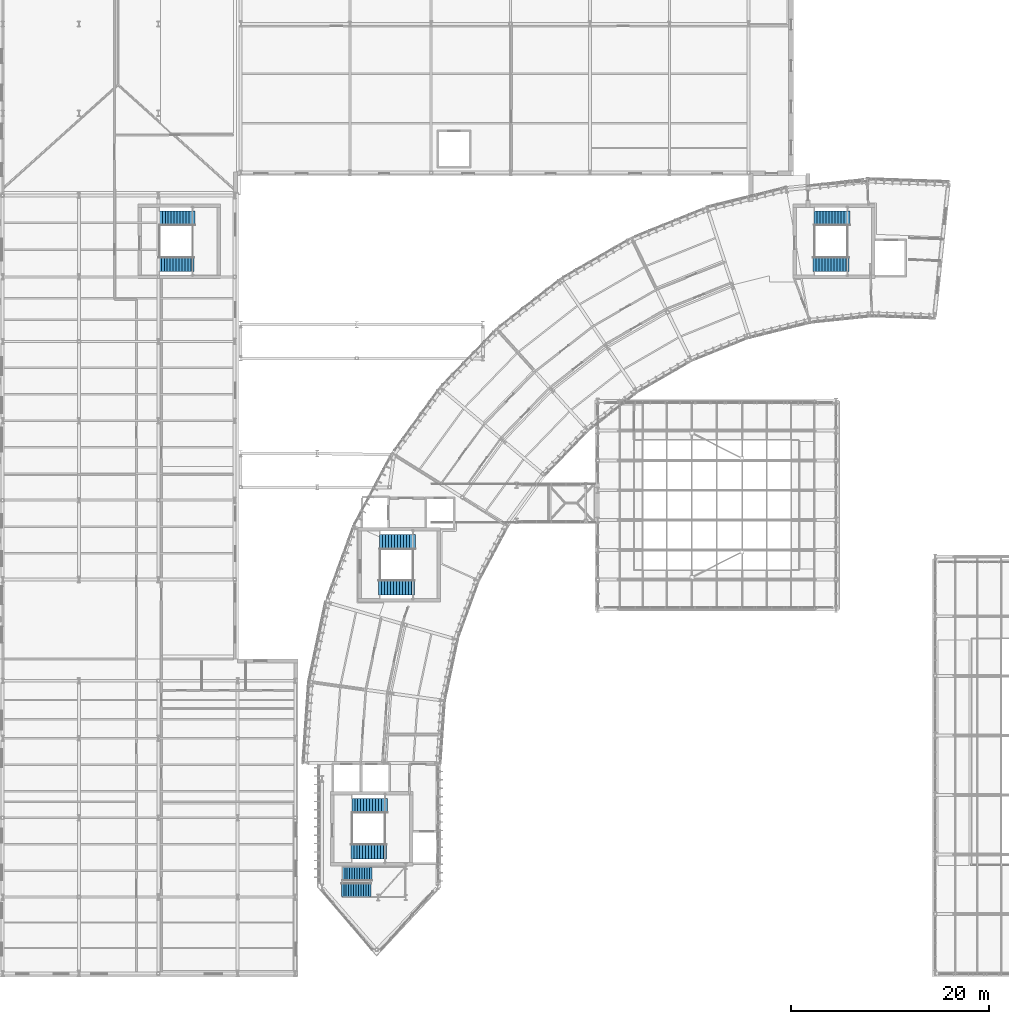
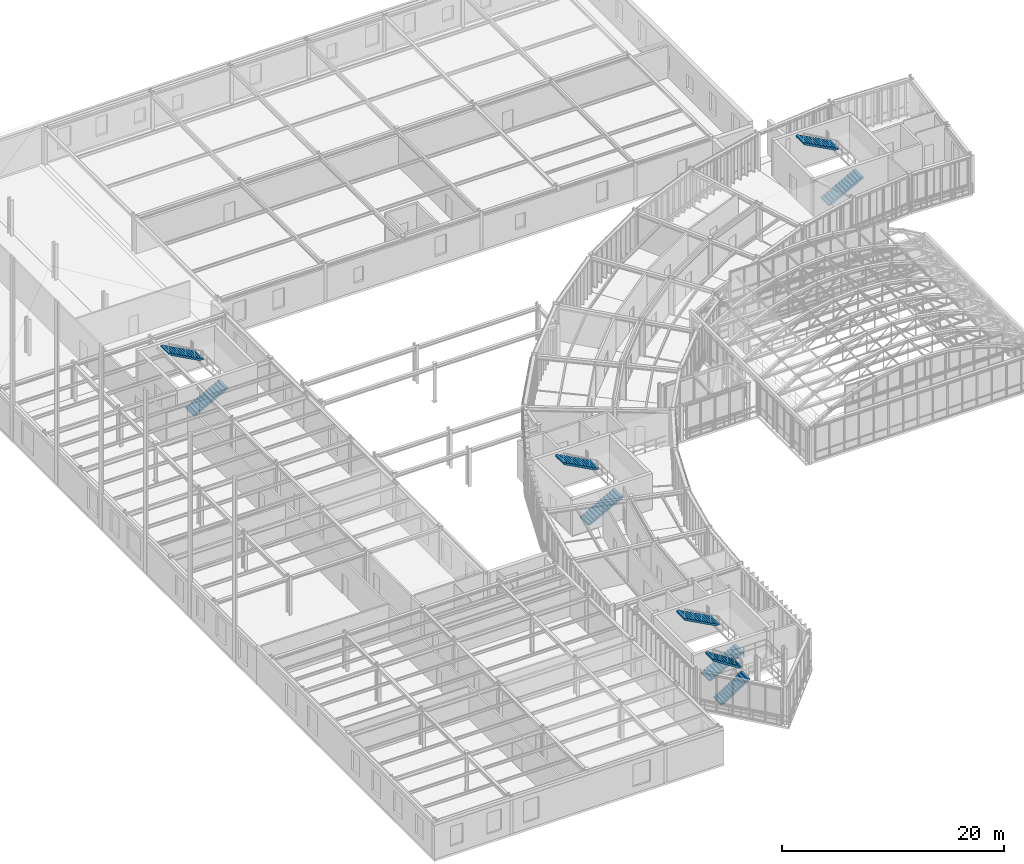
# One storey, part 134 of 148: 10 stair flights, 5 elements without a shape of their own.
"""IFC4 building model written with IfcOpenShell, lengths in metres."""

from ifc_helpers import new_model, si_unit, direction, frame, origin, place, context, subcontext, project, spatial, polyline, outline, extrude, material, type_object, element, aggregate, save


model = new_model("IFC4")

# Units and contexts
model_context = context("Model", 3, precision=1e-05, world=origin(), true_north=direction((0.0, 1.0)))
body_context = subcontext(model_context, "Body", "Model", "MODEL_VIEW")
ifc_project = project(units=[si_unit("LENGTHUNIT", "METRE"), si_unit("AREAUNIT", "SQUARE_METRE"), si_unit("VOLUMEUNIT", "CUBIC_METRE"), si_unit("PLANEANGLEUNIT", "RADIAN"), si_unit("MASSUNIT", "GRAM", prefix="KILO"), si_unit("THERMODYNAMICTEMPERATUREUNIT", "KELVIN"), si_unit("POWERUNIT", "WATT")], contexts=[model_context])

# Site, building, storey
site_placement = place(None, origin())
site = spatial("IfcSite", under=ifc_project, at=site_placement, CompositionType="ELEMENT")
building_placement = place(site_placement, origin())
building = spatial("IfcBuilding", under=site, at=building_placement, Name="Solvatero Civic Police Headquarters", CompositionType="ELEMENT")
storey_placement = place(building_placement, frame((0.0, 0.0, 5.10009765625)))
storey = spatial("IfcBuildingStorey", under=building, at=storey_placement, Name="L01", CompositionType="ELEMENT", Elevation=5.10009765625)

# Stair, stair flights
ifc_material = material(Name="Precast concrete C40/50", Category="concrete")
stair_type_1 = type_object("IfcStairType", Name="STR-C145-420", PredefinedType="HALF_TURN_STAIR", material=ifc_material)
stair_1_placement = place(storey_placement, origin())
stair_1 = element("IfcStair", 1, at=stair_1_placement, inside=storey, type_object=stair_type_1, Name="Protected Exit Stair ST-C3 (L01 to L02)", PredefinedType="HALF_TURN_STAIR")
stair_flight_type_1 = type_object("IfcStairFlightType", Name="SFL-STR-C145-420", PredefinedType="STRAIGHT", material=ifc_material)
stair_flight_1_placement = place(storey_placement, frame((86.5, 76.27490234375, 0.0), z_axis=(0.0, 0.0, 1.0), x_axis=(1.0, 0.0, 0.0)))
stair_flight_1 = element("IfcStairFlight", 2, at=stair_flight_1_placement, type_object=stair_flight_type_1, Name="ST-C3 L01 Flight 1", NumberOfRisers=13, NumberOfTreads=12, PredefinedType="STRAIGHT", RiserHeight=0.161538, TreadLength=0.3, context=body_context, shape_type="SweptSolid", body=[
    extrude(outline(polyline([(0.0, 0.0), (0.0, 0.16162109375), (0.300048828125, 0.16162109375), (0.300048828125, 0.322998046875), (0.60009765625, 0.322998046875), (0.60009765625, 0.484619140625), (0.89990234375, 0.484619140625), (0.89990234375, 0.646240234375), (1.199951171875, 0.646240234375), (1.199951171875, 0.8076171875), (1.5, 0.8076171875), (1.5, 0.96923828125), (1.800048828125, 0.96923828125), (1.800048828125, 1.130859375), (2.10009765625, 1.130859375), (2.10009765625, 1.292236328125), (2.39990234375, 1.292236328125), (2.39990234375, 1.453857421875), (2.699951171875, 1.453857421875), (2.699951171875, 1.615478515625), (3.0, 1.615478515625), (3.0, 1.77685546875), (3.300048828125, 1.77685546875), (3.300048828125, 1.9384765625), (3.60009765625, 1.9384765625), (3.60009765625, 2.10009765625), (3.60009765625, 1.7568359375), (0.33740234375, 0.0), (0.0, 0.0)])), frame((0.0, 0.72509765625, 0.0), z_axis=(0.0, -1.0, 0.0), x_axis=(1.0, 0.0, 0.0)), (0.0, 0.0, 1.0), 1.449951171875),
])
stair_flight_2_placement = place(storey_placement, frame((90.199951171875, 80.925048828125, 2.099853515625), z_axis=(0.0, 0.0, 1.0), x_axis=(-1.0, 0.0, 0.0)))
stair_flight_2 = element("IfcStairFlight", 3, at=stair_flight_2_placement, type_object=stair_flight_type_1, Name="ST-C3 L01 Flight 2", NumberOfRisers=13, NumberOfTreads=12, PredefinedType="STRAIGHT", RiserHeight=0.161538, TreadLength=0.3, context=body_context, shape_type="SweptSolid", body=[
    extrude(outline(polyline([(0.0, 0.0), (0.0, 0.16162109375), (0.300048828125, 0.16162109375), (0.300048828125, 0.322998046875), (0.60009765625, 0.322998046875), (0.60009765625, 0.484619140625), (0.89990234375, 0.484619140625), (0.89990234375, 0.646240234375), (1.199951171875, 0.646240234375), (1.199951171875, 0.8076171875), (1.5, 0.8076171875), (1.5, 0.96923828125), (1.800048828125, 0.96923828125), (1.800048828125, 1.130859375), (2.10009765625, 1.130859375), (2.10009765625, 1.292236328125), (2.39990234375, 1.292236328125), (2.39990234375, 1.453857421875), (2.699951171875, 1.453857421875), (2.699951171875, 1.615478515625), (3.0, 1.615478515625), (3.0, 1.77685546875), (3.300048828125, 1.77685546875), (3.300048828125, 1.9384765625), (3.60009765625, 1.9384765625), (3.60009765625, 2.10009765625), (3.60009765625, 1.7568359375), (0.33740234375, 0.0), (0.0, 0.0)])), frame((0.0, 0.72509765625, 0.0), z_axis=(0.0, -1.0, 0.0), x_axis=(1.0, 0.0, 0.0)), (0.0, 0.0, 1.0), 1.449951171875),
])
aggregate(stair_1, [stair_flight_1, stair_flight_2])

stair_2_placement = place(storey_placement, origin())
stair_2 = element("IfcStair", 4, at=stair_2_placement, inside=storey, type_object=stair_type_1, Name="Protected Exit Stair ST-C4 (L01 to L02)", PredefinedType="HALF_TURN_STAIR")
stair_flight_3_placement = place(storey_placement, frame((20.5, 76.27490234375, 0.0), z_axis=(0.0, 0.0, 1.0), x_axis=(1.0, 0.0, 0.0)))
stair_flight_3 = element("IfcStairFlight", 5, at=stair_flight_3_placement, type_object=stair_flight_type_1, Name="ST-C4 L01 Flight 1", NumberOfRisers=13, NumberOfTreads=12, PredefinedType="STRAIGHT", RiserHeight=0.161538, TreadLength=0.3, context=body_context, shape_type="SweptSolid", body=[
    extrude(outline(polyline([(0.0, 0.0), (0.0, 0.16162109375), (0.300048828125, 0.16162109375), (0.300048828125, 0.322998046875), (0.60009765625, 0.322998046875), (0.60009765625, 0.484619140625), (0.89990234375, 0.484619140625), (0.89990234375, 0.646240234375), (1.199951171875, 0.646240234375), (1.199951171875, 0.8076171875), (1.5, 0.8076171875), (1.5, 0.96923828125), (1.800048828125, 0.96923828125), (1.800048828125, 1.130859375), (2.10009765625, 1.130859375), (2.10009765625, 1.292236328125), (2.39990234375, 1.292236328125), (2.39990234375, 1.453857421875), (2.699951171875, 1.453857421875), (2.699951171875, 1.615478515625), (3.0, 1.615478515625), (3.0, 1.77685546875), (3.300048828125, 1.77685546875), (3.300048828125, 1.9384765625), (3.60009765625, 1.9384765625), (3.60009765625, 2.10009765625), (3.60009765625, 1.7568359375), (0.33740234375, 0.0), (0.0, 0.0)])), frame((0.0, 0.72509765625, 0.0), z_axis=(0.0, -1.0, 0.0), x_axis=(1.0, 0.0, 0.0)), (0.0, 0.0, 1.0), 1.449951171875),
])
stair_flight_4_placement = place(storey_placement, frame((24.199951171875, 80.925048828125, 2.099853515625), z_axis=(0.0, 0.0, 1.0), x_axis=(-1.0, 0.0, 0.0)))
stair_flight_4 = element("IfcStairFlight", 6, at=stair_flight_4_placement, type_object=stair_flight_type_1, Name="ST-C4 L01 Flight 2", NumberOfRisers=13, NumberOfTreads=12, PredefinedType="STRAIGHT", RiserHeight=0.161538, TreadLength=0.3, context=body_context, shape_type="SweptSolid", body=[
    extrude(outline(polyline([(0.0, 0.0), (0.0, 0.16162109375), (0.300048828125, 0.16162109375), (0.300048828125, 0.322998046875), (0.60009765625, 0.322998046875), (0.60009765625, 0.484619140625), (0.89990234375, 0.484619140625), (0.89990234375, 0.646240234375), (1.199951171875, 0.646240234375), (1.199951171875, 0.8076171875), (1.5, 0.8076171875), (1.5, 0.96923828125), (1.800048828125, 0.96923828125), (1.800048828125, 1.130859375), (2.10009765625, 1.130859375), (2.10009765625, 1.292236328125), (2.39990234375, 1.292236328125), (2.39990234375, 1.453857421875), (2.699951171875, 1.453857421875), (2.699951171875, 1.615478515625), (3.0, 1.615478515625), (3.0, 1.77685546875), (3.300048828125, 1.77685546875), (3.300048828125, 1.9384765625), (3.60009765625, 1.9384765625), (3.60009765625, 2.10009765625), (3.60009765625, 1.7568359375), (0.33740234375, 0.0), (0.0, 0.0)])), frame((0.0, 0.72509765625, 0.0), z_axis=(0.0, -1.0, 0.0), x_axis=(1.0, 0.0, 0.0)), (0.0, 0.0, 1.0), 1.449951171875),
])
aggregate(stair_2, [stair_flight_3, stair_flight_4])

stair_type_2 = type_object("IfcStairType", Name="STR-C150-420", PredefinedType="HALF_TURN_STAIR", material=ifc_material)
stair_3_placement = place(storey_placement, origin())
stair_3 = element("IfcStair", 7, at=stair_3_placement, inside=storey, type_object=stair_type_2, Name="Protected Exit Stair ST-C1 (L01 to L02)", PredefinedType="HALF_TURN_STAIR")
stair_flight_type_2 = type_object("IfcStairFlightType", Name="SFL-STR-C150-420", PredefinedType="STRAIGHT", material=ifc_material)
stair_flight_5_placement = place(storey_placement, frame((39.89990234375, 17.10009765625, 0.0), z_axis=(0.0, 0.0, 1.0), x_axis=(1.0, 0.0, 0.0)))
stair_flight_5 = element("IfcStairFlight", 8, at=stair_flight_5_placement, type_object=stair_flight_type_2, Name="ST-C1 L01 Flight 1", NumberOfRisers=13, NumberOfTreads=12, PredefinedType="STRAIGHT", RiserHeight=0.161538, TreadLength=0.3, context=body_context, shape_type="SweptSolid", body=[
    extrude(outline(polyline([(0.0, 0.0), (0.0, 0.16162109375), (0.300048828125, 0.16162109375), (0.300048828125, 0.322998046875), (0.60009765625, 0.322998046875), (0.60009765625, 0.484619140625), (0.89990234375, 0.484619140625), (0.89990234375, 0.646240234375), (1.199951171875, 0.646240234375), (1.199951171875, 0.8076171875), (1.5, 0.8076171875), (1.5, 0.96923828125), (1.800048828125, 0.96923828125), (1.800048828125, 1.130859375), (2.10009765625, 1.130859375), (2.10009765625, 1.292236328125), (2.39990234375, 1.292236328125), (2.39990234375, 1.453857421875), (2.699951171875, 1.453857421875), (2.699951171875, 1.615478515625), (3.0, 1.615478515625), (3.0, 1.77685546875), (3.300048828125, 1.77685546875), (3.300048828125, 1.9384765625), (3.60009765625, 1.9384765625), (3.60009765625, 2.10009765625), (3.60009765625, 1.7568359375), (0.33740234375, 0.0), (0.0, 0.0)])), frame((0.0, 0.75, 0.0), z_axis=(0.0, -1.0, 0.0), x_axis=(1.0, 0.0, 0.0)), (0.0, 0.0, 1.0), 1.5),
])
stair_flight_6_placement = place(storey_placement, frame((43.60009765625, 21.699951171875, 2.099853515625), z_axis=(0.0, 0.0, 1.0), x_axis=(-1.0, 0.0, 0.0)))
stair_flight_6 = element("IfcStairFlight", 9, at=stair_flight_6_placement, type_object=stair_flight_type_2, Name="ST-C1 L01 Flight 2", NumberOfRisers=13, NumberOfTreads=12, PredefinedType="STRAIGHT", RiserHeight=0.161538, TreadLength=0.3, context=body_context, shape_type="SweptSolid", body=[
    extrude(outline(polyline([(0.0, 0.0), (0.0, 0.16162109375), (0.300048828125, 0.16162109375), (0.300048828125, 0.322998046875), (0.60009765625, 0.322998046875), (0.60009765625, 0.484619140625), (0.89990234375, 0.484619140625), (0.89990234375, 0.646240234375), (1.199951171875, 0.646240234375), (1.199951171875, 0.8076171875), (1.5, 0.8076171875), (1.5, 0.96923828125), (1.800048828125, 0.96923828125), (1.800048828125, 1.130859375), (2.10009765625, 1.130859375), (2.10009765625, 1.292236328125), (2.39990234375, 1.292236328125), (2.39990234375, 1.453857421875), (2.699951171875, 1.453857421875), (2.699951171875, 1.615478515625), (3.0, 1.615478515625), (3.0, 1.77685546875), (3.300048828125, 1.77685546875), (3.300048828125, 1.9384765625), (3.60009765625, 1.9384765625), (3.60009765625, 2.10009765625), (3.60009765625, 1.7568359375), (0.33740234375, 0.0), (0.0, 0.0)])), frame((0.0, 0.75, 0.0), z_axis=(0.0, -1.0, 0.0), x_axis=(1.0, 0.0, 0.0)), (0.0, 0.0, 1.0), 1.5),
])
aggregate(stair_3, [stair_flight_5, stair_flight_6])

stair_4_placement = place(storey_placement, origin())
stair_4 = element("IfcStair", 10, at=stair_4_placement, inside=storey, type_object=stair_type_2, Name="Protected Exit Stair ST-C2 (L01 to L02)", PredefinedType="HALF_TURN_STAIR")
stair_flight_7_placement = place(storey_placement, frame((42.699951171875, 43.699951171875, 0.0), z_axis=(0.0, 0.0, 1.0), x_axis=(1.0, 0.0, 0.0)))
stair_flight_7 = element("IfcStairFlight", 11, at=stair_flight_7_placement, type_object=stair_flight_type_2, Name="ST-C2 L01 Flight 1", NumberOfRisers=13, NumberOfTreads=12, PredefinedType="STRAIGHT", RiserHeight=0.161538, TreadLength=0.3, context=body_context, shape_type="SweptSolid", body=[
    extrude(outline(polyline([(0.0, 0.0), (0.0, 0.16162109375), (0.300048828125, 0.16162109375), (0.300048828125, 0.322998046875), (0.60009765625, 0.322998046875), (0.60009765625, 0.484619140625), (0.89990234375, 0.484619140625), (0.89990234375, 0.646240234375), (1.199951171875, 0.646240234375), (1.199951171875, 0.8076171875), (1.5, 0.8076171875), (1.5, 0.96923828125), (1.800048828125, 0.96923828125), (1.800048828125, 1.130859375), (2.10009765625, 1.130859375), (2.10009765625, 1.292236328125), (2.39990234375, 1.292236328125), (2.39990234375, 1.453857421875), (2.699951171875, 1.453857421875), (2.699951171875, 1.615478515625), (3.0, 1.615478515625), (3.0, 1.77685546875), (3.300048828125, 1.77685546875), (3.300048828125, 1.9384765625), (3.60009765625, 1.9384765625), (3.60009765625, 2.10009765625), (3.60009765625, 1.7568359375), (0.33740234375, 0.0), (0.0, 0.0)])), frame((0.0, 0.75, 0.0), z_axis=(0.0, -1.0, 0.0), x_axis=(1.0, 0.0, 0.0)), (0.0, 0.0, 1.0), 1.5),
])
stair_flight_8_placement = place(storey_placement, frame((46.39990234375, 48.300048828125, 2.099853515625), z_axis=(0.0, 0.0, 1.0), x_axis=(-1.0, 0.0, 0.0)))
stair_flight_8 = element("IfcStairFlight", 12, at=stair_flight_8_placement, type_object=stair_flight_type_2, Name="ST-C2 L01 Flight 2", NumberOfRisers=13, NumberOfTreads=12, PredefinedType="STRAIGHT", RiserHeight=0.161538, TreadLength=0.3, context=body_context, shape_type="SweptSolid", body=[
    extrude(outline(polyline([(0.0, 0.0), (0.0, 0.16162109375), (0.300048828125, 0.16162109375), (0.300048828125, 0.322998046875), (0.60009765625, 0.322998046875), (0.60009765625, 0.484619140625), (0.89990234375, 0.484619140625), (0.89990234375, 0.646240234375), (1.199951171875, 0.646240234375), (1.199951171875, 0.8076171875), (1.5, 0.8076171875), (1.5, 0.96923828125), (1.800048828125, 0.96923828125), (1.800048828125, 1.130859375), (2.10009765625, 1.130859375), (2.10009765625, 1.292236328125), (2.39990234375, 1.292236328125), (2.39990234375, 1.453857421875), (2.699951171875, 1.453857421875), (2.699951171875, 1.615478515625), (3.0, 1.615478515625), (3.0, 1.77685546875), (3.300048828125, 1.77685546875), (3.300048828125, 1.9384765625), (3.60009765625, 1.9384765625), (3.60009765625, 2.10009765625), (3.60009765625, 1.7568359375), (0.33740234375, 0.0), (0.0, 0.0)])), frame((0.0, 0.75, 0.0), z_axis=(0.0, -1.0, 0.0), x_axis=(1.0, 0.0, 0.0)), (0.0, 0.0, 1.0), 1.5),
])
aggregate(stair_4, [stair_flight_7, stair_flight_8])

stair_type_3 = type_object("IfcStairType", Name="STR-PRW-420", PredefinedType="HALF_TURN_STAIR", material=ifc_material)
stair_5_placement = place(storey_placement, origin())
stair_5 = element("IfcStair", 13, at=stair_5_placement, inside=storey, type_object=stair_type_3, Name="Glazed Prow Ceremonial Stair (L01 to L02)", PredefinedType="HALF_TURN_STAIR")
stair_flight_type_3 = type_object("IfcStairFlightType", Name="SFL-STR-PRW-420", PredefinedType="STRAIGHT", material=ifc_material)
stair_flight_9_placement = place(storey_placement, frame((38.93994140625, 13.219970703125, 0.0), z_axis=(0.0, 0.0, 1.0), x_axis=(1.0, 0.0, 0.0)))
stair_flight_9 = element("IfcStairFlight", 14, at=stair_flight_9_placement, type_object=stair_flight_type_3, Name="ST-PRW L01 Flight 1", NumberOfRisers=13, NumberOfTreads=12, PredefinedType="STRAIGHT", RiserHeight=0.161538, TreadLength=0.25, context=body_context, shape_type="SweptSolid", body=[
    extrude(outline(polyline([(0.0, 0.0), (0.0, 0.16162109375), (0.25, 0.16162109375), (0.25, 0.322998046875), (0.5, 0.322998046875), (0.5, 0.484619140625), (0.75, 0.484619140625), (0.75, 0.646240234375), (1.0, 0.646240234375), (1.0, 0.8076171875), (1.25, 0.8076171875), (1.25, 0.96923828125), (1.5, 0.96923828125), (1.5, 1.130859375), (1.75, 1.130859375), (1.75, 1.292236328125), (2.0, 1.292236328125), (2.0, 1.453857421875), (2.25, 1.453857421875), (2.25, 1.615478515625), (2.5, 1.615478515625), (2.5, 1.77685546875), (2.75, 1.77685546875), (2.75, 1.9384765625), (3.0, 1.9384765625), (3.0, 2.10009765625), (3.0, 1.748046875), (0.294677734375, 0.0), (0.0, 0.0)])), frame((0.0, 0.68017578125, 0.0), z_axis=(0.0, -1.0, 0.0), x_axis=(1.0, 0.0, 0.0)), (0.0, 0.0, 1.0), 1.360107421875),
])
stair_flight_10_placement = place(storey_placement, frame((42.0400390625, 14.820068359375, 2.099853515625), z_axis=(0.0, 0.0, 1.0), x_axis=(-1.0, 0.0, 0.0)))
stair_flight_10 = element("IfcStairFlight", 15, at=stair_flight_10_placement, type_object=stair_flight_type_3, Name="ST-PRW L01 Flight 2", NumberOfRisers=13, NumberOfTreads=12, PredefinedType="STRAIGHT", RiserHeight=0.161538, TreadLength=0.25, context=body_context, shape_type="SweptSolid", body=[
    extrude(outline(polyline([(0.0, 0.0), (0.0, 0.16162109375), (0.25, 0.16162109375), (0.25, 0.322998046875), (0.5, 0.322998046875), (0.5, 0.484619140625), (0.75, 0.484619140625), (0.75, 0.646240234375), (1.0, 0.646240234375), (1.0, 0.8076171875), (1.25, 0.8076171875), (1.25, 0.96923828125), (1.5, 0.96923828125), (1.5, 1.130859375), (1.75, 1.130859375), (1.75, 1.292236328125), (2.0, 1.292236328125), (2.0, 1.453857421875), (2.25, 1.453857421875), (2.25, 1.615478515625), (2.5, 1.615478515625), (2.5, 1.77685546875), (2.75, 1.77685546875), (2.75, 1.9384765625), (3.0, 1.9384765625), (3.0, 2.10009765625), (3.0, 1.748046875), (0.294677734375, 0.0), (0.0, 0.0)])), frame((0.0, 0.68017578125, 0.0), z_axis=(0.0, -1.0, 0.0), x_axis=(1.0, 0.0, 0.0)), (0.0, 0.0, 1.0), 1.360107421875),
])
aggregate(stair_5, [stair_flight_9, stair_flight_10])

save(model, "model.ifc")
